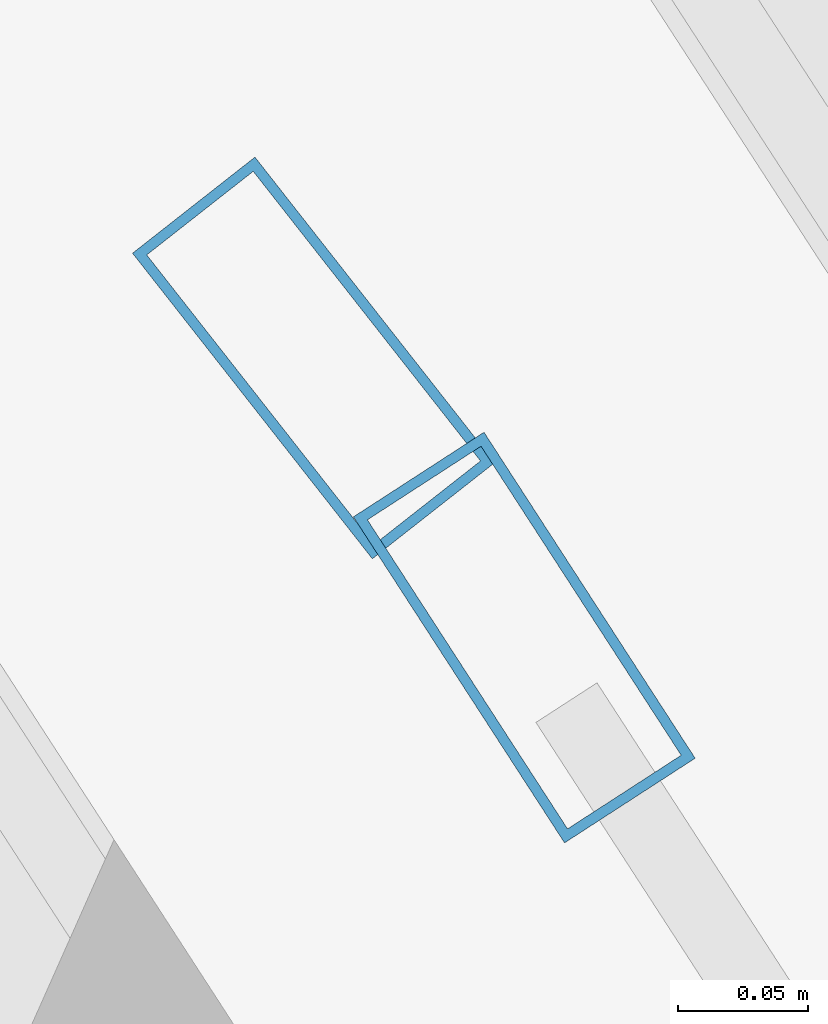
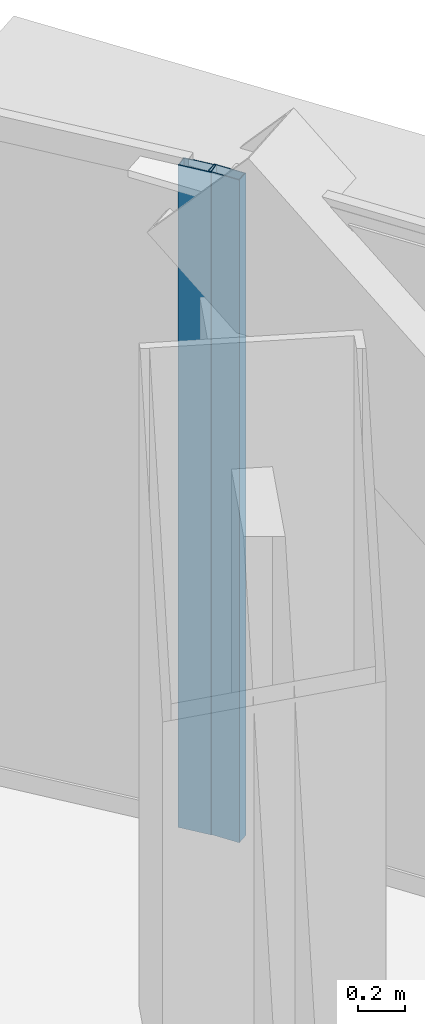
# One storey, part 20 of 39: 2 members, 2 elements without a shape of their own.
"""IFC4 building model written with IfcOpenShell, lengths in metres."""

from ifc_helpers import new_model, si_unit, direction, frame, origin, origin_2d, place, context, subcontext, project, spatial, hollow_rectangle, extrude, source, transform, mapped, material, layer, layer_set, material_profile, profile_set, type_object, element, aggregate, save


model = new_model("IFC4")

# Units and contexts
model_context = context("Model", 3, precision=1e-05, world=origin(), true_north=direction((0.0, 1.0)))
body_context = subcontext(model_context, "Body", "Model", "MODEL_VIEW")
ifc_project = project(units=[si_unit("LENGTHUNIT", "METRE"), si_unit("AREAUNIT", "SQUARE_METRE"), si_unit("VOLUMEUNIT", "CUBIC_METRE"), si_unit("PLANEANGLEUNIT", "RADIAN"), si_unit("MASSUNIT", "GRAM", prefix="KILO"), si_unit("THERMODYNAMICTEMPERATUREUNIT", "KELVIN"), si_unit("POWERUNIT", "WATT")], contexts=[model_context])

# Site, building, storey
site_placement = place(None, origin())
site = spatial("IfcSite", under=ifc_project, at=site_placement, CompositionType="ELEMENT")
building_placement = place(site_placement, origin())
building = spatial("IfcBuilding", under=site, at=building_placement, Name="Yunzhuo Pagoda Commons", CompositionType="ELEMENT")
storey_placement = place(building_placement, frame((0.0, 0.0, 140.8701171875)))
storey = spatial("IfcBuildingStorey", under=building, at=storey_placement, Name="L35", CompositionType="ELEMENT", Elevation=140.8701171875)

# Curtain wall, member
ifc_material = material(Name="Anodized aluminium 6063-T6", Category="aluminium")
ifc_layer = layer(ifc_material, 0.14990234375)
ifc_layer_set = layer_set([ifc_layer], Name="Anodized aluminium 6063-T6")
curtain_wall_type = type_object("IfcCurtainWallType", Name="CW-MID Mid-Zone Ribbon Curtain Wall", PredefinedType="NOTDEFINED", material=ifc_layer_set)
curtain_wall_1_placement = place(storey_placement, origin())
curtain_wall_1 = element("IfcCurtainWall", 1, at=curtain_wall_1_placement, inside=storey, type_object=curtain_wall_type, Name="L35 curtain wall CW-L35-F2B4", PredefinedType="NOTDEFINED")
ifc_material_profile = material_profile(ifc_material, hollow_rectangle(XDim=0.06005859375, YDim=0.14990234375, WallThickness=0.00390625, at=origin_2d()), Name="Anodized aluminium 6063-T6")
ifc_profile_set = profile_set([ifc_material_profile], Name="Anodized aluminium 6063-T6")
member_type = type_object("IfcMemberType", Name="CW-MID-M Mullion RHS 150x60x4", PredefinedType="MULLION", material=ifc_profile_set)
shared_shape = source(origin(), body_context, "Body", "SweptSolid", [
    extrude(hollow_rectangle(XDim=0.06005859375, YDim=0.14990234375, WallThickness=0.00390625, at=origin_2d()), origin(), (0.0, 0.0, 1.0), 3.419921875),
])
member_1_placement = place(storey_placement, frame((64.117431640625, 69.837890625, 0.0), z_axis=(0.0, 0.0, 1.0), x_axis=(-0.839320281383, -0.543637255216, 0.0)))
member_1 = element("IfcMember", 2, at=member_1_placement, type_object=member_type, Name="CW mullion 2", PredefinedType="MULLION", context=body_context, shape_type="MappedRepresentation", body=[
    mapped(shared_shape, transform((0.0, 0.0, 0.0), scale=1.0)),
])
aggregate(curtain_wall_1, [member_1])

curtain_wall_2_placement = place(storey_placement, origin())
curtain_wall_2 = element("IfcCurtainWall", 3, at=curtain_wall_2_placement, inside=storey, type_object=curtain_wall_type, Name="L35 curtain wall CW-L35-F2B5", PredefinedType="NOTDEFINED")
member_2_placement = place(storey_placement, frame((64.0361328125, 69.94580078125, 0.0), z_axis=(0.0, 0.0, 1.0), x_axis=(-0.786664694453, -0.617380481147, 0.0)))
member_2 = element("IfcMember", 4, at=member_2_placement, type_object=member_type, Name="CW mullion 1", PredefinedType="MULLION", context=body_context, shape_type="MappedRepresentation", body=[
    mapped(shared_shape, transform((0.0, 0.0, 0.0), scale=1.0)),
])
aggregate(curtain_wall_2, [member_2])

save(model, "model.ifc")
